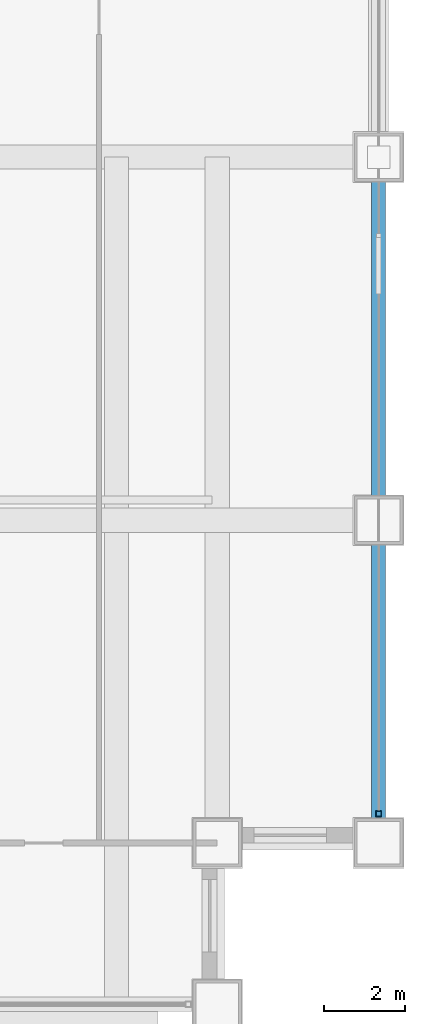
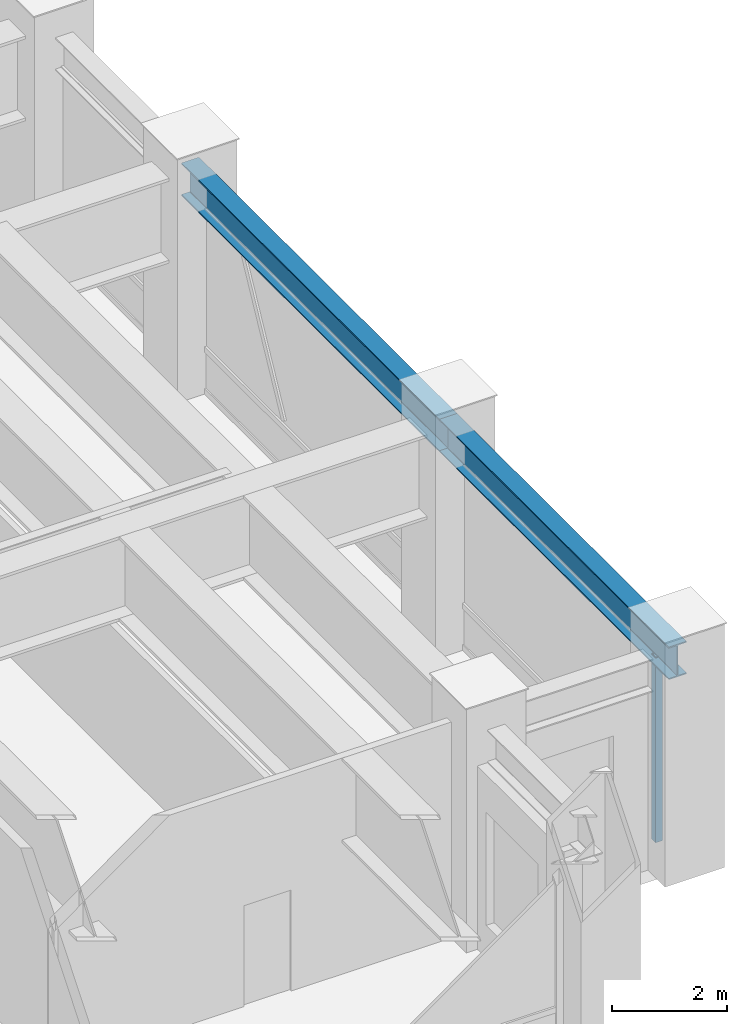
# One storey, part 14 of 34: 2 beams, 1 member, 1 element without a shape of its own.
"""IFC4 building model written with IfcOpenShell, lengths in metres."""

from ifc_helpers import new_model, si_unit, direction, frame, origin, origin_2d, place, context, subcontext, project, spatial, hollow_rectangle, i_section, extrude, source, transform, mapped, material, material_profile, profile_set, type_object, element, aggregate, save


model = new_model("IFC4")

# Units and contexts
model_context = context("Model", 3, precision=1e-05, world=origin(), true_north=direction((0.0, 1.0)))
body_context = subcontext(model_context, "Body", "Model", "MODEL_VIEW")
ifc_project = project(units=[si_unit("LENGTHUNIT", "METRE"), si_unit("AREAUNIT", "SQUARE_METRE"), si_unit("VOLUMEUNIT", "CUBIC_METRE"), si_unit("PLANEANGLEUNIT", "RADIAN"), si_unit("MASSUNIT", "GRAM", prefix="KILO")], contexts=[model_context])

# Site, building, storey
site_placement = place(None, origin())
site = spatial("IfcSite", under=ifc_project, at=site_placement, CompositionType="ELEMENT")
building_placement = place(site_placement, origin())
building = spatial("IfcBuilding", under=site, at=building_placement, Name="Khorayat Bourse Tower", CompositionType="ELEMENT")
storey_placement = place(building_placement, frame((0.0, 0.0, 144.699951171875)))
storey = spatial("IfcBuildingStorey", under=building, at=storey_placement, Name="L33", CompositionType="ELEMENT", Elevation=144.699951171875)

# Beams
ifc_material_1 = material(Name="Steel ASTM A992 Grade 50", Category="steel")
ifc_material_profile_1 = material_profile(ifc_material_1, i_section(OverallWidth=0.35498046875, OverallDepth=0.695068359375, WebThickness=0.015380859375, FlangeThickness=0.02490234375, FilletRadius=0.01806640625, at=origin_2d()), Name="W690X217")
ifc_profile_set_1 = profile_set([ifc_material_profile_1], Name="Steel ASTM A992 Grade 50")
beam_type = type_object("IfcBeamType", Name="BM-SPAN-690", PredefinedType="SPANDREL", material=ifc_profile_set_1)
shared_shape_1 = source(origin(), body_context, "Body", "SweptSolid", [
    extrude(i_section(OverallWidth=0.35498046875, OverallDepth=0.695068359375, WebThickness=0.015380859375, FlangeThickness=0.02490234375, FilletRadius=0.01806640625, at=origin_2d()), origin(), (0.0, 0.0, 1.0), 9.0),
])
beam_1_placement = place(storey_placement, frame((32.0, -20.0, 4.25244140625), z_axis=(0.0, 1.0, 0.0), x_axis=(-1.0, 0.0, 0.0)))
element("IfcBeam", 1, at=beam_1_placement, inside=storey, type_object=beam_type, Name="L33 BM-SPAN-690 BM-L33-SPN-035", PredefinedType="SPANDREL", context=body_context, shape_type="MappedRepresentation", body=[
    mapped(shared_shape_1, transform((0.0, 0.0, 0.0), scale=1.0)),
])
shared_shape_2 = source(origin(), body_context, "Body", "SweptSolid", [
    extrude(i_section(OverallWidth=0.35498046875, OverallDepth=0.695068359375, WebThickness=0.015380859375, FlangeThickness=0.02490234375, FilletRadius=0.01806640625, at=origin_2d()), origin(), (0.0, 0.0, 1.0), 8.0),
])
beam_2_placement = place(storey_placement, frame((32.0, -28.0, 4.25244140625), z_axis=(0.0, 1.0, 0.0), x_axis=(-1.0, 0.0, 0.0)))
element("IfcBeam", 2, at=beam_2_placement, inside=storey, type_object=beam_type, Name="L33 BM-SPAN-690 BM-L33-SPN-034", PredefinedType="SPANDREL", context=body_context, shape_type="MappedRepresentation", body=[
    mapped(shared_shape_2, transform((0.0, 0.0, 0.0), scale=1.0)),
])

# Curtain wall, member
ifc_material_2 = material(Name="Aluminium EN AW-6063 T6", Category="aluminium")
curtain_wall_type = type_object("IfcCurtainWallType", Name="CW-SYS-05", PredefinedType="NOTDEFINED", material=ifc_material_2)
curtain_wall_placement = place(storey_placement, origin())
curtain_wall = element("IfcCurtainWall", 3, at=curtain_wall_placement, inside=storey, type_object=curtain_wall_type, Name="L33 Curtain Wall CW-L33-E1", PredefinedType="NOTDEFINED")
ifc_material_profile_2 = material_profile(ifc_material_2, hollow_rectangle(XDim=0.139892578125, YDim=0.139892578125, WallThickness=0.006103515625, at=origin_2d()), Name="ALU 140x140x6")
ifc_profile_set_2 = profile_set([ifc_material_profile_2], Name="Aluminium EN AW-6063 T6")
member_type = type_object("IfcMemberType", Name="CWM-VERT-140", PredefinedType="MULLION", material=ifc_profile_set_2)
shared_shape_3 = source(origin(), body_context, "Body", "SweptSolid", [
    extrude(hollow_rectangle(XDim=0.139892578125, YDim=0.139892578125, WallThickness=0.006103515625, at=origin_2d()), origin(), (0.0, 0.0, 1.0), 3.949951171875),
])
member_placement = place(storey_placement, frame((32.0, -27.280029296875, 0.0), z_axis=(0.0, 0.0, 1.0), x_axis=(-1.0, 0.0, 0.0)))
member = element("IfcMember", 4, at=member_placement, type_object=member_type, Name="CW-L33-E1 Vertical Mullion 1", PredefinedType="MULLION", context=body_context, shape_type="MappedRepresentation", body=[
    mapped(shared_shape_3, transform((0.0, 0.0, 0.0), scale=1.0)),
])
aggregate(curtain_wall, [member])

save(model, "model.ifc")
